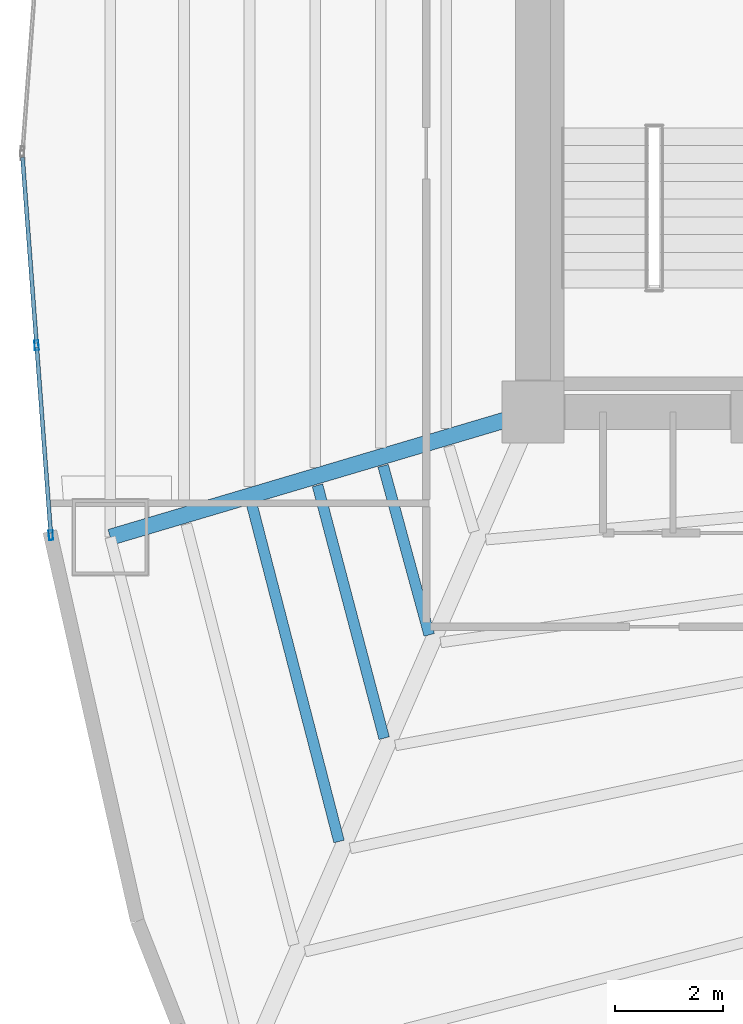
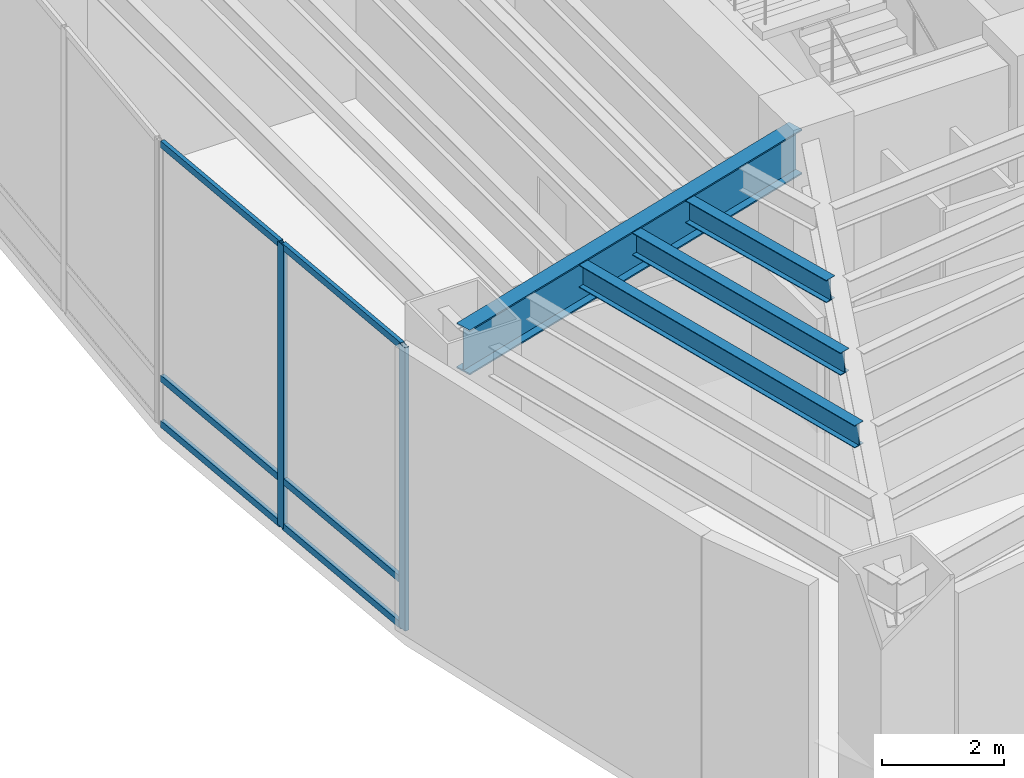
# One storey, part 3 of 19: 8 members, 4 beams, 1 element without a shape of its own.
"""IFC4 building model written with IfcOpenShell, lengths in metres."""

from ifc_helpers import new_model, si_unit, direction, frame, origin, origin_2d, place, context, subcontext, project, spatial, hollow_rectangle, i_section, extrude, material, layer, layer_set, material_profile, profile_set, type_object, element, aggregate, save


model = new_model("IFC4")

# Units and contexts
model_context = context("Model", 3, precision=1e-05, world=origin(), true_north=direction((0.0, 1.0)))
body_context = subcontext(model_context, "Body", "Model", "MODEL_VIEW")
ifc_project = project(units=[si_unit("LENGTHUNIT", "METRE"), si_unit("AREAUNIT", "SQUARE_METRE"), si_unit("VOLUMEUNIT", "CUBIC_METRE"), si_unit("PLANEANGLEUNIT", "RADIAN"), si_unit("MASSUNIT", "GRAM", prefix="KILO")], contexts=[model_context])

# Site, building, storey
site_placement = place(None, origin())
site = spatial("IfcSite", under=ifc_project, at=site_placement, CompositionType="ELEMENT")
building_placement = place(site_placement, origin())
building = spatial("IfcBuilding", under=site, at=building_placement, Name="Menara Vayukalpa", CompositionType="ELEMENT")
storey_placement = place(building_placement, frame((0.0, 0.0, 12.0)))
storey = spatial("IfcBuildingStorey", under=building, at=storey_placement, Name="L02", CompositionType="ELEMENT", Elevation=12.0)

# Beams
ifc_material_1 = material(Name="Steel S355", Category="steel")
ifc_material_profile_1 = material_profile(ifc_material_1, i_section(OverallWidth=0.300048828125, OverallDepth=0.89990234375, WebThickness=0.01611328125, FlangeThickness=0.028076171875, at=origin_2d()), Name="WF 900x300x16x28")
ifc_profile_set_1 = profile_set([ifc_material_profile_1], Name="Steel S355")
beam_type_1 = type_object("IfcBeamType", Name="BM-PG1", PredefinedType="BEAM", material=ifc_profile_set_1)
beam_1_placement = place(storey_placement, frame((17.560302734375, 17.12890625, 5.22998046875), z_axis=(-0.958678858065, -0.284490504409, 0.0), x_axis=(0.284490504409, -0.958678858065, 0.0)))
element("IfcBeam", 1, at=beam_1_placement, inside=storey, type_object=beam_type_1, Name="L02 Primary Radial Girder RG06", PredefinedType="BEAM", context=body_context, shape_type="SweptSolid", body=[
    extrude(i_section(OverallWidth=0.300048828125, OverallDepth=0.89990234375, WebThickness=0.01611328125, FlangeThickness=0.028076171875, at=origin_2d()), origin(), (0.0, 0.0, 1.0), 7.936279296875),
])
ifc_material_2 = material(Name="Steel S355", Category="steel")
ifc_material_profile_2 = material_profile(ifc_material_2, i_section(OverallWidth=0.199951171875, OverallDepth=0.449951171875, WebThickness=0.009033203125, FlangeThickness=0.013916015625, at=origin_2d()), Name="WF 450x200x9x14")
ifc_profile_set_2 = profile_set([ifc_material_profile_2], Name="Steel S355")
beam_type_2 = type_object("IfcBeamType", Name="BM-SJ1", PredefinedType="JOIST", material=ifc_profile_set_2)
beam_2_placement = place(storey_placement, frame((15.018310546875, 16.197265625, 5.455078125), z_axis=(0.262945960317, -0.964810562729, 0.0), x_axis=(0.964810562729, 0.262945960317, 0.0)))
element("IfcBeam", 2, at=beam_2_placement, inside=storey, type_object=beam_type_2, Name="L02 Secondary Floor Joist SJ06-2", PredefinedType="JOIST", context=body_context, shape_type="SweptSolid", body=[
    extrude(i_section(OverallWidth=0.199951171875, OverallDepth=0.449951171875, WebThickness=0.009033203125, FlangeThickness=0.013916015625, at=origin_2d()), origin(), (0.0, 0.0, 1.0), 3.25341796875),
])
beam_3_placement = place(storey_placement, frame((13.799560546875, 15.835693359375, 5.455078125), z_axis=(0.254819975699, -0.966988510782, 0.0), x_axis=(0.966988510782, 0.254819975699, 0.0)))
element("IfcBeam", 3, at=beam_3_placement, inside=storey, type_object=beam_type_2, Name="L02 Secondary Floor Joist SJ06-3", PredefinedType="JOIST", context=body_context, shape_type="SweptSolid", body=[
    extrude(i_section(OverallWidth=0.199951171875, OverallDepth=0.449951171875, WebThickness=0.009033203125, FlangeThickness=0.013916015625, at=origin_2d()), origin(), (0.0, 0.0, 1.0), 4.855712890625),
])
beam_4_placement = place(storey_placement, frame((12.581298828125, 15.47412109375, 5.455078125), z_axis=(0.250533111623, -0.968108031152, 0.0), x_axis=(0.968108031152, 0.250533111623, 0.0)))
element("IfcBeam", 4, at=beam_4_placement, inside=storey, type_object=beam_type_2, Name="L02 Secondary Floor Joist SJ06-4", PredefinedType="JOIST", context=body_context, shape_type="SweptSolid", body=[
    extrude(i_section(OverallWidth=0.199951171875, OverallDepth=0.449951171875, WebThickness=0.009033203125, FlangeThickness=0.013916015625, at=origin_2d()), origin(), (0.0, 0.0, 1.0), 6.4580078125),
])

# Curtain wall, members
ifc_material_3 = material(Name="Anodised Terracotta Aluminium Alloy 6063-T6", Category="masonry")
ifc_layer = layer(ifc_material_3, 0.179931640625)
ifc_layer_set = layer_set([ifc_layer], Name="Anodised Terracotta Aluminium Alloy 6063-T6")
curtain_wall_type = type_object("IfcCurtainWallType", Name="CW-CW1", PredefinedType="USERDEFINED", material=ifc_layer_set)
curtain_wall_placement = place(storey_placement, origin())
curtain_wall = element("IfcCurtainWall", 5, at=curtain_wall_placement, inside=storey, type_object=curtain_wall_type, Name="L02 Podium Unitised Ribbon Curtain Wall CW1 11", ObjectType="UNITISED", PredefinedType="USERDEFINED")
ifc_material_4 = material(Name="Anodised Terracotta Aluminium Alloy 6063-T6", Category="masonry")
ifc_material_profile_3 = material_profile(ifc_material_4, hollow_rectangle(XDim=0.074951171875, YDim=0.179931640625, WallThickness=0.00390625, at=origin_2d()), Name="ALU 75x180x4")
ifc_profile_set_3 = profile_set([ifc_material_profile_3], Name="Anodised Terracotta Aluminium Alloy 6063-T6")
member_type_1 = type_object("IfcMemberType", Name="CWM-CW1", PredefinedType="MULLION", material=ifc_profile_set_3)
member_1_placement = place(storey_placement, frame((8.584716796875, 18.435546875, 0.0), z_axis=(0.0, 0.0, 1.0), x_axis=(0.997198970825, 0.074794468953, 0.0)))
member_1 = element("IfcMember", 6, at=member_1_placement, type_object=member_type_1, Name="CW1 mullion 2", PredefinedType="MULLION", context=body_context, shape_type="SweptSolid", body=[
    extrude(hollow_rectangle(XDim=0.074951171875, YDim=0.179931640625, WallThickness=0.00390625, at=origin_2d()), origin(), (0.0, 0.0, 1.0), 5.679931640625),
])
member_2_placement = place(storey_placement, frame((8.84912109375, 14.908447265625, 0.0), z_axis=(0.0, 0.0, 1.0), x_axis=(0.997198970825, 0.074794468953, 0.0)))
member_2 = element("IfcMember", 7, at=member_2_placement, type_object=member_type_1, Name="CW1 mullion 3", PredefinedType="MULLION", context=body_context, shape_type="SweptSolid", body=[
    extrude(hollow_rectangle(XDim=0.074951171875, YDim=0.179931640625, WallThickness=0.00390625, at=origin_2d()), origin(), (0.0, 0.0, 1.0), 5.679931640625),
])
ifc_material_5 = material(Name="Anodised Terracotta Aluminium Alloy 6063-T6", Category="masonry")
ifc_material_profile_4 = material_profile(ifc_material_5, hollow_rectangle(XDim=0.074951171875, YDim=0.135009765625, WallThickness=0.00390625, at=origin_2d()), Name="ALU 75x135x4")
ifc_profile_set_4 = profile_set([ifc_material_profile_4], Name="Anodised Terracotta Aluminium Alloy 6063-T6")
member_type_2 = type_object("IfcMemberType", Name="CWT-CW1", PredefinedType="USERDEFINED", material=ifc_profile_set_4)
member_3_placement = place(storey_placement, frame((8.322998046875, 21.92529296875, 0.03759765625), z_axis=(0.074749626841, -0.997202333174, 0.0), x_axis=(0.997202333174, 0.074749626841, 0.0)))
member_3 = element("IfcMember", 8, at=member_3_placement, type_object=member_type_2, Name="CW1 transom 1.1", ObjectType="TRANSOM", PredefinedType="USERDEFINED", context=body_context, shape_type="SweptSolid", body=[
    extrude(hollow_rectangle(XDim=0.074951171875, YDim=0.135009765625, WallThickness=0.00390625, at=origin_2d()), origin(), (0.0, 0.0, 1.0), 3.462158203125),
])
member_4_placement = place(storey_placement, frame((8.322998046875, 21.92529296875, 0.949951171875), z_axis=(0.074749626841, -0.997202333174, 0.0), x_axis=(0.997202333174, 0.074749626841, 0.0)))
member_4 = element("IfcMember", 9, at=member_4_placement, type_object=member_type_2, Name="CW1 transom 1.2", ObjectType="TRANSOM", PredefinedType="USERDEFINED", context=body_context, shape_type="SweptSolid", body=[
    extrude(hollow_rectangle(XDim=0.074951171875, YDim=0.135009765625, WallThickness=0.00390625, at=origin_2d()), origin(), (0.0, 0.0, 1.0), 3.462158203125),
])
member_5_placement = place(storey_placement, frame((8.322998046875, 21.92529296875, 5.642578125), z_axis=(0.074749626841, -0.997202333174, 0.0), x_axis=(0.997202333174, 0.074749626841, 0.0)))
member_5 = element("IfcMember", 10, at=member_5_placement, type_object=member_type_2, Name="CW1 transom 1.3", ObjectType="TRANSOM", PredefinedType="USERDEFINED", context=body_context, shape_type="SweptSolid", body=[
    extrude(hollow_rectangle(XDim=0.074951171875, YDim=0.135009765625, WallThickness=0.00390625, at=origin_2d()), origin(), (0.0, 0.0, 1.0), 3.462158203125),
])
member_6_placement = place(storey_placement, frame((8.58740234375, 18.398193359375, 0.03759765625), z_axis=(0.07481975078, -0.99719707425, 0.0), x_axis=(0.99719707425, 0.07481975078, 0.0)))
member_6 = element("IfcMember", 11, at=member_6_placement, type_object=member_type_2, Name="CW1 transom 2.1", ObjectType="TRANSOM", PredefinedType="USERDEFINED", context=body_context, shape_type="SweptSolid", body=[
    extrude(hollow_rectangle(XDim=0.074951171875, YDim=0.135009765625, WallThickness=0.00390625, at=origin_2d()), origin(), (0.0, 0.0, 1.0), 3.462158203125),
])
member_7_placement = place(storey_placement, frame((8.58740234375, 18.398193359375, 0.949951171875), z_axis=(0.07481975078, -0.99719707425, 0.0), x_axis=(0.99719707425, 0.07481975078, 0.0)))
member_7 = element("IfcMember", 12, at=member_7_placement, type_object=member_type_2, Name="CW1 transom 2.2", ObjectType="TRANSOM", PredefinedType="USERDEFINED", context=body_context, shape_type="SweptSolid", body=[
    extrude(hollow_rectangle(XDim=0.074951171875, YDim=0.135009765625, WallThickness=0.00390625, at=origin_2d()), origin(), (0.0, 0.0, 1.0), 3.462158203125),
])
member_8_placement = place(storey_placement, frame((8.58740234375, 18.398193359375, 5.642578125), z_axis=(0.07481975078, -0.99719707425, 0.0), x_axis=(0.99719707425, 0.07481975078, 0.0)))
member_8 = element("IfcMember", 13, at=member_8_placement, type_object=member_type_2, Name="CW1 transom 2.3", ObjectType="TRANSOM", PredefinedType="USERDEFINED", context=body_context, shape_type="SweptSolid", body=[
    extrude(hollow_rectangle(XDim=0.074951171875, YDim=0.135009765625, WallThickness=0.00390625, at=origin_2d()), origin(), (0.0, 0.0, 1.0), 3.462158203125),
])
aggregate(curtain_wall, [member_1, member_2, member_3, member_4, member_5, member_6, member_7, member_8])

save(model, "model.ifc")
